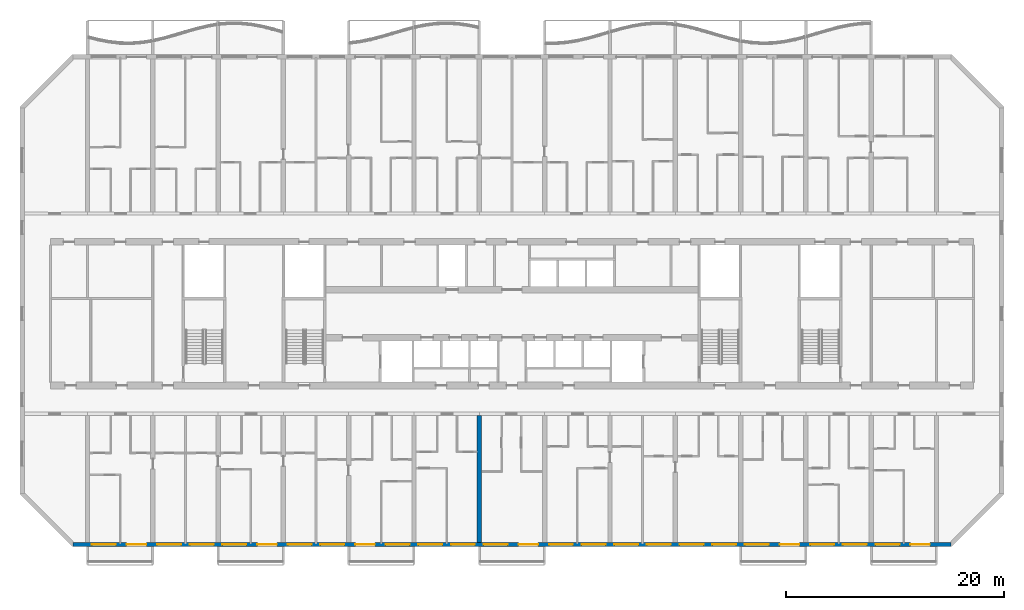
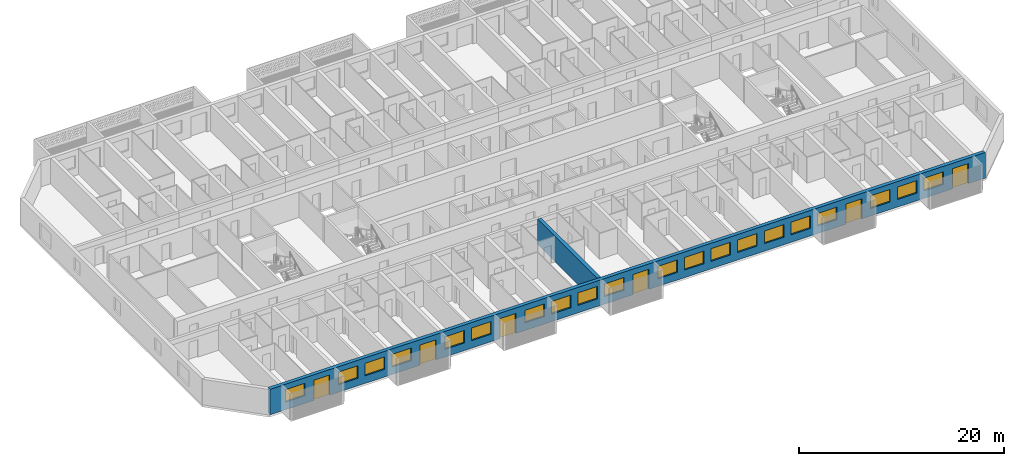
# One storey, part 4 of 39: 20 windows, 6 doors, 2 walls, 26 openings.
"""IFC4 building model written with IfcOpenShell, lengths in metres."""

from ifc_helpers import new_model, si_unit, direction, frame, frame_2d, origin, place, context, subcontext, project, spatial, rectangle, extrude, material, layer, layer_set, type_object, element, fill, save


model = new_model("IFC4")

# Units and contexts
model_context = context("Model", 3, precision=1e-05, world=origin(), true_north=direction((0.0, 1.0)))
body_context = subcontext(model_context, "Body", "Model", "MODEL_VIEW")
ifc_project = project(units=[si_unit("LENGTHUNIT", "METRE"), si_unit("AREAUNIT", "SQUARE_METRE"), si_unit("VOLUMEUNIT", "CUBIC_METRE"), si_unit("PLANEANGLEUNIT", "RADIAN"), si_unit("MASSUNIT", "GRAM", prefix="KILO")], contexts=[model_context])

# Site, building, storey
site_placement = place(None, origin())
site = spatial("IfcSite", under=ifc_project, at=site_placement, CompositionType="ELEMENT")
building_placement = place(site_placement, origin())
building = spatial("IfcBuilding", under=site, at=building_placement, Name="Poui Terraces", CompositionType="ELEMENT")
storey_placement = place(building_placement, frame((0.0, 0.0, 56.39990234375)))
storey = spatial("IfcBuildingStorey", under=building, at=storey_placement, Name="L15", CompositionType="ELEMENT", Elevation=56.39990234375)

# Wall
ifc_material_1 = material(Name="Concrete 80 MPa", Category="concrete")
ifc_layer_1 = layer(ifc_material_1, 0.39990234375)
ifc_layer_set_1 = layer_set([ifc_layer_1], Name="Concrete 80 MPa")
wall_type_1 = type_object("IfcWallType", Name="CROSS WALL 400 80MPa", PredefinedType="SHEAR", material=ifc_layer_set_1)
wall_1_placement = place(storey_placement, frame((48.0, 0.199951171875, 0.0), z_axis=(0.0, 0.0, 1.0), x_axis=(0.0, 1.0, 0.0)))
element("IfcWall", 1, at=wall_1_placement, inside=storey, type_object=wall_type_1, Name="CROSS WALL LINE 9 SOUTH", PredefinedType="SHEAR", context=body_context, shape_type="SweptSolid", body=[
    extrude(rectangle(XDim=11.650146484375, YDim=0.39990234375, at=frame_2d((5.8251953125, 0.0))), origin(), (0.0, 0.0, 1.0), 3.050048828125),
])

# Wall, openings, doors, windows
ifc_material_2 = material(Name="Precast concrete 40 MPa", Category="concrete")
ifc_layer_2 = layer(ifc_material_2, 0.39990234375)
ifc_layer_set_2 = layer_set([ifc_layer_2], Name="Precast concrete 40 MPa")
wall_type_2 = type_object("IfcWallType", Name="EXTERNAL WALL 400", PredefinedType="STANDARD", material=ifc_layer_set_2)
wall_2_placement = place(storey_placement, frame((10.682861328125, 0.0, 0.0), z_axis=(0.0, 0.0, 1.0), x_axis=(1.0, 0.0, 0.0)))
wall_2 = element("IfcWall", 2, at=wall_2_placement, inside=storey, type_object=wall_type_2, Name="EXTERNAL WALL S", PredefinedType="STANDARD", context=body_context, shape_type="SweptSolid", body=[
    extrude(rectangle(XDim=80.63427734375, YDim=0.39990234375, at=frame_2d((40.317138671875, 0.0))), origin(), (0.0, 0.0, 1.0), 3.050048828125),
])
opening_1_placement = place(wall_2_placement, frame((1.71728515625, 0.0, 0.89990234375)))
opening_1 = element("IfcOpeningElement", 3, at=opening_1_placement, cuts=wall_2, Name="Opening W1", PredefinedType="OPENING", context=body_context, shape_type="SweptSolid", body=[
    extrude(rectangle(XDim=2.199951171875, YDim=1.5, at=frame_2d((1.10009765625, 0.75))), frame((0.0, 0.2099609375, 0.0), z_axis=(0.0, -1.0, 0.0), x_axis=(1.0, 0.0, 0.0)), (0.0, 0.0, 1.0), 0.419921875),
])
opening_2_placement = place(wall_2_placement, frame((4.917236328125, 0.0, 0.0)))
opening_2 = element("IfcOpeningElement", 4, at=opening_2_placement, cuts=wall_2, Name="Opening BD1", PredefinedType="OPENING", context=body_context, shape_type="SweptSolid", body=[
    extrude(rectangle(XDim=1.800048828125, YDim=2.39990234375, at=frame_2d((0.89990234375, 1.199951171875))), frame((0.0, 0.2099609375, 0.0), z_axis=(0.0, -1.0, 0.0), x_axis=(1.0, 0.0, 0.0)), (0.0, 0.0, 1.0), 0.419921875),
])
opening_3_placement = place(wall_2_placement, frame((7.71728515625, 0.0, 0.89990234375)))
opening_3 = element("IfcOpeningElement", 5, at=opening_3_placement, cuts=wall_2, Name="Opening W1", PredefinedType="OPENING", context=body_context, shape_type="SweptSolid", body=[
    extrude(rectangle(XDim=2.199951171875, YDim=1.5, at=frame_2d((1.10009765625, 0.75))), frame((0.0, 0.2099609375, 0.0), z_axis=(0.0, -1.0, 0.0), x_axis=(1.0, 0.0, 0.0)), (0.0, 0.0, 1.0), 0.419921875),
])
opening_4_placement = place(wall_2_placement, frame((10.71728515625, 0.0, 0.89990234375)))
opening_4 = element("IfcOpeningElement", 6, at=opening_4_placement, cuts=wall_2, Name="Opening W1", PredefinedType="OPENING", context=body_context, shape_type="SweptSolid", body=[
    extrude(rectangle(XDim=2.199951171875, YDim=1.5, at=frame_2d((1.10009765625, 0.75))), frame((0.0, 0.2099609375, 0.0), z_axis=(0.0, -1.0, 0.0), x_axis=(1.0, 0.0, 0.0)), (0.0, 0.0, 1.0), 0.419921875),
])
opening_5_placement = place(wall_2_placement, frame((13.71728515625, 0.0, 0.89990234375)))
opening_5 = element("IfcOpeningElement", 7, at=opening_5_placement, cuts=wall_2, Name="Opening W1", PredefinedType="OPENING", context=body_context, shape_type="SweptSolid", body=[
    extrude(rectangle(XDim=2.199951171875, YDim=1.5, at=frame_2d((1.10009765625, 0.75))), frame((0.0, 0.2099609375, 0.0), z_axis=(0.0, -1.0, 0.0), x_axis=(1.0, 0.0, 0.0)), (0.0, 0.0, 1.0), 0.419921875),
])
opening_6_placement = place(wall_2_placement, frame((16.917236328125, 0.0, 0.0)))
opening_6 = element("IfcOpeningElement", 8, at=opening_6_placement, cuts=wall_2, Name="Opening BD1", PredefinedType="OPENING", context=body_context, shape_type="SweptSolid", body=[
    extrude(rectangle(XDim=1.800048828125, YDim=2.39990234375, at=frame_2d((0.89990234375, 1.199951171875))), frame((0.0, 0.2099609375, 0.0), z_axis=(0.0, -1.0, 0.0), x_axis=(1.0, 0.0, 0.0)), (0.0, 0.0, 1.0), 0.419921875),
])
opening_7_placement = place(wall_2_placement, frame((19.71728515625, 0.0, 0.89990234375)))
opening_7 = element("IfcOpeningElement", 9, at=opening_7_placement, cuts=wall_2, Name="Opening W1", PredefinedType="OPENING", context=body_context, shape_type="SweptSolid", body=[
    extrude(rectangle(XDim=2.199951171875, YDim=1.5, at=frame_2d((1.10009765625, 0.75))), frame((0.0, 0.2099609375, 0.0), z_axis=(0.0, -1.0, 0.0), x_axis=(1.0, 0.0, 0.0)), (0.0, 0.0, 1.0), 0.419921875),
])
opening_8_placement = place(wall_2_placement, frame((22.71728515625, 0.0, 0.89990234375)))
opening_8 = element("IfcOpeningElement", 10, at=opening_8_placement, cuts=wall_2, Name="Opening W1", PredefinedType="OPENING", context=body_context, shape_type="SweptSolid", body=[
    extrude(rectangle(XDim=2.199951171875, YDim=1.5, at=frame_2d((1.10009765625, 0.75))), frame((0.0, 0.2099609375, 0.0), z_axis=(0.0, -1.0, 0.0), x_axis=(1.0, 0.0, 0.0)), (0.0, 0.0, 1.0), 0.419921875),
])
opening_9_placement = place(wall_2_placement, frame((25.917236328125, 0.0, 0.0)))
opening_9 = element("IfcOpeningElement", 11, at=opening_9_placement, cuts=wall_2, Name="Opening BD1", PredefinedType="OPENING", context=body_context, shape_type="SweptSolid", body=[
    extrude(rectangle(XDim=1.800048828125, YDim=2.39990234375, at=frame_2d((0.89990234375, 1.199951171875))), frame((0.0, 0.2099609375, 0.0), z_axis=(0.0, -1.0, 0.0), x_axis=(1.0, 0.0, 0.0)), (0.0, 0.0, 1.0), 0.419921875),
])
opening_10_placement = place(wall_2_placement, frame((28.71728515625, 0.0, 0.89990234375)))
opening_10 = element("IfcOpeningElement", 12, at=opening_10_placement, cuts=wall_2, Name="Opening W1", PredefinedType="OPENING", context=body_context, shape_type="SweptSolid", body=[
    extrude(rectangle(XDim=2.199951171875, YDim=1.5, at=frame_2d((1.10009765625, 0.75))), frame((0.0, 0.2099609375, 0.0), z_axis=(0.0, -1.0, 0.0), x_axis=(1.0, 0.0, 0.0)), (0.0, 0.0, 1.0), 0.419921875),
])
opening_11_placement = place(wall_2_placement, frame((31.71728515625, 0.0, 0.89990234375)))
opening_11 = element("IfcOpeningElement", 13, at=opening_11_placement, cuts=wall_2, Name="Opening W1", PredefinedType="OPENING", context=body_context, shape_type="SweptSolid", body=[
    extrude(rectangle(XDim=2.199951171875, YDim=1.5, at=frame_2d((1.10009765625, 0.75))), frame((0.0, 0.2099609375, 0.0), z_axis=(0.0, -1.0, 0.0), x_axis=(1.0, 0.0, 0.0)), (0.0, 0.0, 1.0), 0.419921875),
])
opening_12_placement = place(wall_2_placement, frame((34.71728515625, 0.0, 0.89990234375)))
opening_12 = element("IfcOpeningElement", 14, at=opening_12_placement, cuts=wall_2, Name="Opening W1", PredefinedType="OPENING", context=body_context, shape_type="SweptSolid", body=[
    extrude(rectangle(XDim=2.199951171875, YDim=1.5, at=frame_2d((1.10009765625, 0.75))), frame((0.0, 0.2099609375, 0.0), z_axis=(0.0, -1.0, 0.0), x_axis=(1.0, 0.0, 0.0)), (0.0, 0.0, 1.0), 0.419921875),
])
opening_13_placement = place(wall_2_placement, frame((37.71728515625, 0.0, 0.89990234375)))
opening_13 = element("IfcOpeningElement", 15, at=opening_13_placement, cuts=wall_2, Name="Opening W1", PredefinedType="OPENING", context=body_context, shape_type="SweptSolid", body=[
    extrude(rectangle(XDim=2.199951171875, YDim=1.5, at=frame_2d((1.10009765625, 0.75))), frame((0.0, 0.2099609375, 0.0), z_axis=(0.0, -1.0, 0.0), x_axis=(1.0, 0.0, 0.0)), (0.0, 0.0, 1.0), 0.419921875),
])
opening_14_placement = place(wall_2_placement, frame((40.917236328125, 0.0, 0.0)))
opening_14 = element("IfcOpeningElement", 16, at=opening_14_placement, cuts=wall_2, Name="Opening BD1", PredefinedType="OPENING", context=body_context, shape_type="SweptSolid", body=[
    extrude(rectangle(XDim=1.800048828125, YDim=2.39990234375, at=frame_2d((0.89990234375, 1.199951171875))), frame((0.0, 0.2099609375, 0.0), z_axis=(0.0, -1.0, 0.0), x_axis=(1.0, 0.0, 0.0)), (0.0, 0.0, 1.0), 0.419921875),
])
opening_15_placement = place(wall_2_placement, frame((43.71728515625, 0.0, 0.89990234375)))
opening_15 = element("IfcOpeningElement", 17, at=opening_15_placement, cuts=wall_2, Name="Opening W1", PredefinedType="OPENING", context=body_context, shape_type="SweptSolid", body=[
    extrude(rectangle(XDim=2.199951171875, YDim=1.5, at=frame_2d((1.10009765625, 0.75))), frame((0.0, 0.2099609375, 0.0), z_axis=(0.0, -1.0, 0.0), x_axis=(1.0, 0.0, 0.0)), (0.0, 0.0, 1.0), 0.419921875),
])
opening_16_placement = place(wall_2_placement, frame((46.71728515625, 0.0, 0.89990234375)))
opening_16 = element("IfcOpeningElement", 18, at=opening_16_placement, cuts=wall_2, Name="Opening W1", PredefinedType="OPENING", context=body_context, shape_type="SweptSolid", body=[
    extrude(rectangle(XDim=2.199951171875, YDim=1.5, at=frame_2d((1.10009765625, 0.75))), frame((0.0, 0.2099609375, 0.0), z_axis=(0.0, -1.0, 0.0), x_axis=(1.0, 0.0, 0.0)), (0.0, 0.0, 1.0), 0.419921875),
])
opening_17_placement = place(wall_2_placement, frame((49.71728515625, 0.0, 0.89990234375)))
opening_17 = element("IfcOpeningElement", 19, at=opening_17_placement, cuts=wall_2, Name="Opening W1", PredefinedType="OPENING", context=body_context, shape_type="SweptSolid", body=[
    extrude(rectangle(XDim=2.199951171875, YDim=1.5, at=frame_2d((1.10009765625, 0.75))), frame((0.0, 0.2099609375, 0.0), z_axis=(0.0, -1.0, 0.0), x_axis=(1.0, 0.0, 0.0)), (0.0, 0.0, 1.0), 0.419921875),
])
opening_18_placement = place(wall_2_placement, frame((52.71728515625, 0.0, 0.89990234375)))
opening_18 = element("IfcOpeningElement", 20, at=opening_18_placement, cuts=wall_2, Name="Opening W1", PredefinedType="OPENING", context=body_context, shape_type="SweptSolid", body=[
    extrude(rectangle(XDim=2.199951171875, YDim=1.5, at=frame_2d((1.10009765625, 0.75))), frame((0.0, 0.2099609375, 0.0), z_axis=(0.0, -1.0, 0.0), x_axis=(1.0, 0.0, 0.0)), (0.0, 0.0, 1.0), 0.419921875),
])
opening_19_placement = place(wall_2_placement, frame((55.71728515625, 0.0, 0.89990234375)))
opening_19 = element("IfcOpeningElement", 21, at=opening_19_placement, cuts=wall_2, Name="Opening W1", PredefinedType="OPENING", context=body_context, shape_type="SweptSolid", body=[
    extrude(rectangle(XDim=2.199951171875, YDim=1.5, at=frame_2d((1.10009765625, 0.75))), frame((0.0, 0.2099609375, 0.0), z_axis=(0.0, -1.0, 0.0), x_axis=(1.0, 0.0, 0.0)), (0.0, 0.0, 1.0), 0.419921875),
])
opening_20_placement = place(wall_2_placement, frame((58.71728515625, 0.0, 0.89990234375)))
opening_20 = element("IfcOpeningElement", 22, at=opening_20_placement, cuts=wall_2, Name="Opening W1", PredefinedType="OPENING", context=body_context, shape_type="SweptSolid", body=[
    extrude(rectangle(XDim=2.199951171875, YDim=1.5, at=frame_2d((1.10009765625, 0.75))), frame((0.0, 0.2099609375, 0.0), z_axis=(0.0, -1.0, 0.0), x_axis=(1.0, 0.0, 0.0)), (0.0, 0.0, 1.0), 0.419921875),
])
opening_21_placement = place(wall_2_placement, frame((61.71728515625, 0.0, 0.89990234375)))
opening_21 = element("IfcOpeningElement", 23, at=opening_21_placement, cuts=wall_2, Name="Opening W1", PredefinedType="OPENING", context=body_context, shape_type="SweptSolid", body=[
    extrude(rectangle(XDim=2.199951171875, YDim=1.5, at=frame_2d((1.10009765625, 0.75))), frame((0.0, 0.2099609375, 0.0), z_axis=(0.0, -1.0, 0.0), x_axis=(1.0, 0.0, 0.0)), (0.0, 0.0, 1.0), 0.419921875),
])
opening_22_placement = place(wall_2_placement, frame((64.917236328125, 0.0, 0.0)))
opening_22 = element("IfcOpeningElement", 24, at=opening_22_placement, cuts=wall_2, Name="Opening BD1", PredefinedType="OPENING", context=body_context, shape_type="SweptSolid", body=[
    extrude(rectangle(XDim=1.800048828125, YDim=2.39990234375, at=frame_2d((0.89990234375, 1.199951171875))), frame((0.0, 0.2099609375, 0.0), z_axis=(0.0, -1.0, 0.0), x_axis=(1.0, 0.0, 0.0)), (0.0, 0.0, 1.0), 0.419921875),
])
opening_23_placement = place(wall_2_placement, frame((67.71728515625, 0.0, 0.89990234375)))
opening_23 = element("IfcOpeningElement", 25, at=opening_23_placement, cuts=wall_2, Name="Opening W1", PredefinedType="OPENING", context=body_context, shape_type="SweptSolid", body=[
    extrude(rectangle(XDim=2.199951171875, YDim=1.5, at=frame_2d((1.10009765625, 0.75))), frame((0.0, 0.2099609375, 0.0), z_axis=(0.0, -1.0, 0.0), x_axis=(1.0, 0.0, 0.0)), (0.0, 0.0, 1.0), 0.419921875),
])
opening_24_placement = place(wall_2_placement, frame((70.71728515625, 0.0, 0.89990234375)))
opening_24 = element("IfcOpeningElement", 26, at=opening_24_placement, cuts=wall_2, Name="Opening W1", PredefinedType="OPENING", context=body_context, shape_type="SweptSolid", body=[
    extrude(rectangle(XDim=2.199951171875, YDim=1.5, at=frame_2d((1.10009765625, 0.75))), frame((0.0, 0.2099609375, 0.0), z_axis=(0.0, -1.0, 0.0), x_axis=(1.0, 0.0, 0.0)), (0.0, 0.0, 1.0), 0.419921875),
])
opening_25_placement = place(wall_2_placement, frame((73.71728515625, 0.0, 0.89990234375)))
opening_25 = element("IfcOpeningElement", 27, at=opening_25_placement, cuts=wall_2, Name="Opening W1", PredefinedType="OPENING", context=body_context, shape_type="SweptSolid", body=[
    extrude(rectangle(XDim=2.199951171875, YDim=1.5, at=frame_2d((1.10009765625, 0.75))), frame((0.0, 0.2099609375, 0.0), z_axis=(0.0, -1.0, 0.0), x_axis=(1.0, 0.0, 0.0)), (0.0, 0.0, 1.0), 0.419921875),
])
opening_26_placement = place(wall_2_placement, frame((76.917236328125, 0.0, 0.0)))
opening_26 = element("IfcOpeningElement", 28, at=opening_26_placement, cuts=wall_2, Name="Opening BD1", PredefinedType="OPENING", context=body_context, shape_type="SweptSolid", body=[
    extrude(rectangle(XDim=1.800048828125, YDim=2.39990234375, at=frame_2d((0.89990234375, 1.199951171875))), frame((0.0, 0.2099609375, 0.0), z_axis=(0.0, -1.0, 0.0), x_axis=(1.0, 0.0, 0.0)), (0.0, 0.0, 1.0), 0.419921875),
])
ifc_material_3 = material(Name="Clear glass in aluminium frame", Category="aluminium")
door_type = type_object("IfcDoorType", Name="BALCONY DOOR 1800X2400", OperationType="DOUBLE_DOOR_SLIDING", PredefinedType="DOOR", material=ifc_material_3)
door_1_placement = place(opening_2_placement, origin())
door_1 = element("IfcDoor", 29, at=door_1_placement, inside=storey, type_object=door_type, Name="BD1 BALCONY DOOR", OperationType="DOUBLE_DOOR_SLIDING", OverallHeight=2.39990234375, OverallWidth=1.800048828125, PredefinedType="DOOR", context=body_context, shape_type="SweptSolid", body=[
    extrude(rectangle(XDim=1.800048828125, YDim=2.39990234375, at=frame_2d((0.89990234375, 1.199951171875))), frame((0.0, 0.02490234375, 0.0), z_axis=(0.0, -1.0, 0.0), x_axis=(1.0, 0.0, 0.0)), (0.0, 0.0, 1.0), 0.050048828125),
])
fill(opening_2, door_1)
door_2_placement = place(opening_6_placement, origin())
door_2 = element("IfcDoor", 30, at=door_2_placement, inside=storey, type_object=door_type, Name="BD1 BALCONY DOOR", OperationType="DOUBLE_DOOR_SLIDING", OverallHeight=2.39990234375, OverallWidth=1.800048828125, PredefinedType="DOOR", context=body_context, shape_type="SweptSolid", body=[
    extrude(rectangle(XDim=1.800048828125, YDim=2.39990234375, at=frame_2d((0.89990234375, 1.199951171875))), frame((0.0, 0.02490234375, 0.0), z_axis=(0.0, -1.0, 0.0), x_axis=(1.0, 0.0, 0.0)), (0.0, 0.0, 1.0), 0.050048828125),
])
fill(opening_6, door_2)
door_3_placement = place(opening_9_placement, origin())
door_3 = element("IfcDoor", 31, at=door_3_placement, inside=storey, type_object=door_type, Name="BD1 BALCONY DOOR", OperationType="DOUBLE_DOOR_SLIDING", OverallHeight=2.39990234375, OverallWidth=1.800048828125, PredefinedType="DOOR", context=body_context, shape_type="SweptSolid", body=[
    extrude(rectangle(XDim=1.800048828125, YDim=2.39990234375, at=frame_2d((0.89990234375, 1.199951171875))), frame((0.0, 0.02490234375, 0.0), z_axis=(0.0, -1.0, 0.0), x_axis=(1.0, 0.0, 0.0)), (0.0, 0.0, 1.0), 0.050048828125),
])
fill(opening_9, door_3)
door_4_placement = place(opening_14_placement, origin())
door_4 = element("IfcDoor", 32, at=door_4_placement, inside=storey, type_object=door_type, Name="BD1 BALCONY DOOR", OperationType="DOUBLE_DOOR_SLIDING", OverallHeight=2.39990234375, OverallWidth=1.800048828125, PredefinedType="DOOR", context=body_context, shape_type="SweptSolid", body=[
    extrude(rectangle(XDim=1.800048828125, YDim=2.39990234375, at=frame_2d((0.89990234375, 1.199951171875))), frame((0.0, 0.02490234375, 0.0), z_axis=(0.0, -1.0, 0.0), x_axis=(1.0, 0.0, 0.0)), (0.0, 0.0, 1.0), 0.050048828125),
])
fill(opening_14, door_4)
door_5_placement = place(opening_22_placement, origin())
door_5 = element("IfcDoor", 33, at=door_5_placement, inside=storey, type_object=door_type, Name="BD1 BALCONY DOOR", OperationType="DOUBLE_DOOR_SLIDING", OverallHeight=2.39990234375, OverallWidth=1.800048828125, PredefinedType="DOOR", context=body_context, shape_type="SweptSolid", body=[
    extrude(rectangle(XDim=1.800048828125, YDim=2.39990234375, at=frame_2d((0.89990234375, 1.199951171875))), frame((0.0, 0.02490234375, 0.0), z_axis=(0.0, -1.0, 0.0), x_axis=(1.0, 0.0, 0.0)), (0.0, 0.0, 1.0), 0.050048828125),
])
fill(opening_22, door_5)
door_6_placement = place(opening_26_placement, origin())
door_6 = element("IfcDoor", 34, at=door_6_placement, inside=storey, type_object=door_type, Name="BD1 BALCONY DOOR", OperationType="DOUBLE_DOOR_SLIDING", OverallHeight=2.39990234375, OverallWidth=1.800048828125, PredefinedType="DOOR", context=body_context, shape_type="SweptSolid", body=[
    extrude(rectangle(XDim=1.800048828125, YDim=2.39990234375, at=frame_2d((0.89990234375, 1.199951171875))), frame((0.0, 0.02490234375, 0.0), z_axis=(0.0, -1.0, 0.0), x_axis=(1.0, 0.0, 0.0)), (0.0, 0.0, 1.0), 0.050048828125),
])
fill(opening_26, door_6)
window_type = type_object("IfcWindowType", Name="WINDOW 2200X1500", PartitioningType="DOUBLE_PANEL_HORIZONTAL", PredefinedType="WINDOW", material=ifc_material_3)
window_1_placement = place(opening_1_placement, origin())
window_1 = element("IfcWindow", 35, at=window_1_placement, inside=storey, type_object=window_type, Name="W1 WINDOW", OverallHeight=1.5, OverallWidth=2.199951171875, PartitioningType="DOUBLE_PANEL_HORIZONTAL", PredefinedType="WINDOW", context=body_context, shape_type="SweptSolid", body=[
    extrude(rectangle(XDim=2.199951171875, YDim=1.5, at=frame_2d((1.10009765625, 0.75))), frame((0.0, 0.030029296875, 0.0), z_axis=(0.0, -1.0, 0.0), x_axis=(1.0, 0.0, 0.0)), (0.0, 0.0, 1.0), 0.06005859375),
])
fill(opening_1, window_1)
window_2_placement = place(opening_3_placement, origin())
window_2 = element("IfcWindow", 36, at=window_2_placement, inside=storey, type_object=window_type, Name="W1 WINDOW", OverallHeight=1.5, OverallWidth=2.199951171875, PartitioningType="DOUBLE_PANEL_HORIZONTAL", PredefinedType="WINDOW", context=body_context, shape_type="SweptSolid", body=[
    extrude(rectangle(XDim=2.199951171875, YDim=1.5, at=frame_2d((1.10009765625, 0.75))), frame((0.0, 0.030029296875, 0.0), z_axis=(0.0, -1.0, 0.0), x_axis=(1.0, 0.0, 0.0)), (0.0, 0.0, 1.0), 0.06005859375),
])
fill(opening_3, window_2)
window_3_placement = place(opening_4_placement, origin())
window_3 = element("IfcWindow", 37, at=window_3_placement, inside=storey, type_object=window_type, Name="W1 WINDOW", OverallHeight=1.5, OverallWidth=2.199951171875, PartitioningType="DOUBLE_PANEL_HORIZONTAL", PredefinedType="WINDOW", context=body_context, shape_type="SweptSolid", body=[
    extrude(rectangle(XDim=2.199951171875, YDim=1.5, at=frame_2d((1.10009765625, 0.75))), frame((0.0, 0.030029296875, 0.0), z_axis=(0.0, -1.0, 0.0), x_axis=(1.0, 0.0, 0.0)), (0.0, 0.0, 1.0), 0.06005859375),
])
fill(opening_4, window_3)
window_4_placement = place(opening_5_placement, origin())
window_4 = element("IfcWindow", 38, at=window_4_placement, inside=storey, type_object=window_type, Name="W1 WINDOW", OverallHeight=1.5, OverallWidth=2.199951171875, PartitioningType="DOUBLE_PANEL_HORIZONTAL", PredefinedType="WINDOW", context=body_context, shape_type="SweptSolid", body=[
    extrude(rectangle(XDim=2.199951171875, YDim=1.5, at=frame_2d((1.10009765625, 0.75))), frame((0.0, 0.030029296875, 0.0), z_axis=(0.0, -1.0, 0.0), x_axis=(1.0, 0.0, 0.0)), (0.0, 0.0, 1.0), 0.06005859375),
])
fill(opening_5, window_4)
window_5_placement = place(opening_7_placement, origin())
window_5 = element("IfcWindow", 39, at=window_5_placement, inside=storey, type_object=window_type, Name="W1 WINDOW", OverallHeight=1.5, OverallWidth=2.199951171875, PartitioningType="DOUBLE_PANEL_HORIZONTAL", PredefinedType="WINDOW", context=body_context, shape_type="SweptSolid", body=[
    extrude(rectangle(XDim=2.199951171875, YDim=1.5, at=frame_2d((1.10009765625, 0.75))), frame((0.0, 0.030029296875, 0.0), z_axis=(0.0, -1.0, 0.0), x_axis=(1.0, 0.0, 0.0)), (0.0, 0.0, 1.0), 0.06005859375),
])
fill(opening_7, window_5)
window_6_placement = place(opening_8_placement, origin())
window_6 = element("IfcWindow", 40, at=window_6_placement, inside=storey, type_object=window_type, Name="W1 WINDOW", OverallHeight=1.5, OverallWidth=2.199951171875, PartitioningType="DOUBLE_PANEL_HORIZONTAL", PredefinedType="WINDOW", context=body_context, shape_type="SweptSolid", body=[
    extrude(rectangle(XDim=2.199951171875, YDim=1.5, at=frame_2d((1.10009765625, 0.75))), frame((0.0, 0.030029296875, 0.0), z_axis=(0.0, -1.0, 0.0), x_axis=(1.0, 0.0, 0.0)), (0.0, 0.0, 1.0), 0.06005859375),
])
fill(opening_8, window_6)
window_7_placement = place(opening_10_placement, origin())
window_7 = element("IfcWindow", 41, at=window_7_placement, inside=storey, type_object=window_type, Name="W1 WINDOW", OverallHeight=1.5, OverallWidth=2.199951171875, PartitioningType="DOUBLE_PANEL_HORIZONTAL", PredefinedType="WINDOW", context=body_context, shape_type="SweptSolid", body=[
    extrude(rectangle(XDim=2.199951171875, YDim=1.5, at=frame_2d((1.10009765625, 0.75))), frame((0.0, 0.030029296875, 0.0), z_axis=(0.0, -1.0, 0.0), x_axis=(1.0, 0.0, 0.0)), (0.0, 0.0, 1.0), 0.06005859375),
])
fill(opening_10, window_7)
window_8_placement = place(opening_11_placement, origin())
window_8 = element("IfcWindow", 42, at=window_8_placement, inside=storey, type_object=window_type, Name="W1 WINDOW", OverallHeight=1.5, OverallWidth=2.199951171875, PartitioningType="DOUBLE_PANEL_HORIZONTAL", PredefinedType="WINDOW", context=body_context, shape_type="SweptSolid", body=[
    extrude(rectangle(XDim=2.199951171875, YDim=1.5, at=frame_2d((1.10009765625, 0.75))), frame((0.0, 0.030029296875, 0.0), z_axis=(0.0, -1.0, 0.0), x_axis=(1.0, 0.0, 0.0)), (0.0, 0.0, 1.0), 0.06005859375),
])
fill(opening_11, window_8)
window_9_placement = place(opening_12_placement, origin())
window_9 = element("IfcWindow", 43, at=window_9_placement, inside=storey, type_object=window_type, Name="W1 WINDOW", OverallHeight=1.5, OverallWidth=2.199951171875, PartitioningType="DOUBLE_PANEL_HORIZONTAL", PredefinedType="WINDOW", context=body_context, shape_type="SweptSolid", body=[
    extrude(rectangle(XDim=2.199951171875, YDim=1.5, at=frame_2d((1.10009765625, 0.75))), frame((0.0, 0.030029296875, 0.0), z_axis=(0.0, -1.0, 0.0), x_axis=(1.0, 0.0, 0.0)), (0.0, 0.0, 1.0), 0.06005859375),
])
fill(opening_12, window_9)
window_10_placement = place(opening_13_placement, origin())
window_10 = element("IfcWindow", 44, at=window_10_placement, inside=storey, type_object=window_type, Name="W1 WINDOW", OverallHeight=1.5, OverallWidth=2.199951171875, PartitioningType="DOUBLE_PANEL_HORIZONTAL", PredefinedType="WINDOW", context=body_context, shape_type="SweptSolid", body=[
    extrude(rectangle(XDim=2.199951171875, YDim=1.5, at=frame_2d((1.10009765625, 0.75))), frame((0.0, 0.030029296875, 0.0), z_axis=(0.0, -1.0, 0.0), x_axis=(1.0, 0.0, 0.0)), (0.0, 0.0, 1.0), 0.06005859375),
])
fill(opening_13, window_10)
window_11_placement = place(opening_15_placement, origin())
window_11 = element("IfcWindow", 45, at=window_11_placement, inside=storey, type_object=window_type, Name="W1 WINDOW", OverallHeight=1.5, OverallWidth=2.199951171875, PartitioningType="DOUBLE_PANEL_HORIZONTAL", PredefinedType="WINDOW", context=body_context, shape_type="SweptSolid", body=[
    extrude(rectangle(XDim=2.199951171875, YDim=1.5, at=frame_2d((1.10009765625, 0.75))), frame((0.0, 0.030029296875, 0.0), z_axis=(0.0, -1.0, 0.0), x_axis=(1.0, 0.0, 0.0)), (0.0, 0.0, 1.0), 0.06005859375),
])
fill(opening_15, window_11)
window_12_placement = place(opening_16_placement, origin())
window_12 = element("IfcWindow", 46, at=window_12_placement, inside=storey, type_object=window_type, Name="W1 WINDOW", OverallHeight=1.5, OverallWidth=2.199951171875, PartitioningType="DOUBLE_PANEL_HORIZONTAL", PredefinedType="WINDOW", context=body_context, shape_type="SweptSolid", body=[
    extrude(rectangle(XDim=2.199951171875, YDim=1.5, at=frame_2d((1.10009765625, 0.75))), frame((0.0, 0.030029296875, 0.0), z_axis=(0.0, -1.0, 0.0), x_axis=(1.0, 0.0, 0.0)), (0.0, 0.0, 1.0), 0.06005859375),
])
fill(opening_16, window_12)
window_13_placement = place(opening_17_placement, origin())
window_13 = element("IfcWindow", 47, at=window_13_placement, inside=storey, type_object=window_type, Name="W1 WINDOW", OverallHeight=1.5, OverallWidth=2.199951171875, PartitioningType="DOUBLE_PANEL_HORIZONTAL", PredefinedType="WINDOW", context=body_context, shape_type="SweptSolid", body=[
    extrude(rectangle(XDim=2.199951171875, YDim=1.5, at=frame_2d((1.10009765625, 0.75))), frame((0.0, 0.030029296875, 0.0), z_axis=(0.0, -1.0, 0.0), x_axis=(1.0, 0.0, 0.0)), (0.0, 0.0, 1.0), 0.06005859375),
])
fill(opening_17, window_13)
window_14_placement = place(opening_18_placement, origin())
window_14 = element("IfcWindow", 48, at=window_14_placement, inside=storey, type_object=window_type, Name="W1 WINDOW", OverallHeight=1.5, OverallWidth=2.199951171875, PartitioningType="DOUBLE_PANEL_HORIZONTAL", PredefinedType="WINDOW", context=body_context, shape_type="SweptSolid", body=[
    extrude(rectangle(XDim=2.199951171875, YDim=1.5, at=frame_2d((1.10009765625, 0.75))), frame((0.0, 0.030029296875, 0.0), z_axis=(0.0, -1.0, 0.0), x_axis=(1.0, 0.0, 0.0)), (0.0, 0.0, 1.0), 0.06005859375),
])
fill(opening_18, window_14)
window_15_placement = place(opening_19_placement, origin())
window_15 = element("IfcWindow", 49, at=window_15_placement, inside=storey, type_object=window_type, Name="W1 WINDOW", OverallHeight=1.5, OverallWidth=2.199951171875, PartitioningType="DOUBLE_PANEL_HORIZONTAL", PredefinedType="WINDOW", context=body_context, shape_type="SweptSolid", body=[
    extrude(rectangle(XDim=2.199951171875, YDim=1.5, at=frame_2d((1.10009765625, 0.75))), frame((0.0, 0.030029296875, 0.0), z_axis=(0.0, -1.0, 0.0), x_axis=(1.0, 0.0, 0.0)), (0.0, 0.0, 1.0), 0.06005859375),
])
fill(opening_19, window_15)
window_16_placement = place(opening_20_placement, origin())
window_16 = element("IfcWindow", 50, at=window_16_placement, inside=storey, type_object=window_type, Name="W1 WINDOW", OverallHeight=1.5, OverallWidth=2.199951171875, PartitioningType="DOUBLE_PANEL_HORIZONTAL", PredefinedType="WINDOW", context=body_context, shape_type="SweptSolid", body=[
    extrude(rectangle(XDim=2.199951171875, YDim=1.5, at=frame_2d((1.10009765625, 0.75))), frame((0.0, 0.030029296875, 0.0), z_axis=(0.0, -1.0, 0.0), x_axis=(1.0, 0.0, 0.0)), (0.0, 0.0, 1.0), 0.06005859375),
])
fill(opening_20, window_16)
window_17_placement = place(opening_21_placement, origin())
window_17 = element("IfcWindow", 51, at=window_17_placement, inside=storey, type_object=window_type, Name="W1 WINDOW", OverallHeight=1.5, OverallWidth=2.199951171875, PartitioningType="DOUBLE_PANEL_HORIZONTAL", PredefinedType="WINDOW", context=body_context, shape_type="SweptSolid", body=[
    extrude(rectangle(XDim=2.199951171875, YDim=1.5, at=frame_2d((1.10009765625, 0.75))), frame((0.0, 0.030029296875, 0.0), z_axis=(0.0, -1.0, 0.0), x_axis=(1.0, 0.0, 0.0)), (0.0, 0.0, 1.0), 0.06005859375),
])
fill(opening_21, window_17)
window_18_placement = place(opening_23_placement, origin())
window_18 = element("IfcWindow", 52, at=window_18_placement, inside=storey, type_object=window_type, Name="W1 WINDOW", OverallHeight=1.5, OverallWidth=2.199951171875, PartitioningType="DOUBLE_PANEL_HORIZONTAL", PredefinedType="WINDOW", context=body_context, shape_type="SweptSolid", body=[
    extrude(rectangle(XDim=2.199951171875, YDim=1.5, at=frame_2d((1.10009765625, 0.75))), frame((0.0, 0.030029296875, 0.0), z_axis=(0.0, -1.0, 0.0), x_axis=(1.0, 0.0, 0.0)), (0.0, 0.0, 1.0), 0.06005859375),
])
fill(opening_23, window_18)
window_19_placement = place(opening_24_placement, origin())
window_19 = element("IfcWindow", 53, at=window_19_placement, inside=storey, type_object=window_type, Name="W1 WINDOW", OverallHeight=1.5, OverallWidth=2.199951171875, PartitioningType="DOUBLE_PANEL_HORIZONTAL", PredefinedType="WINDOW", context=body_context, shape_type="SweptSolid", body=[
    extrude(rectangle(XDim=2.199951171875, YDim=1.5, at=frame_2d((1.10009765625, 0.75))), frame((0.0, 0.030029296875, 0.0), z_axis=(0.0, -1.0, 0.0), x_axis=(1.0, 0.0, 0.0)), (0.0, 0.0, 1.0), 0.06005859375),
])
fill(opening_24, window_19)
window_20_placement = place(opening_25_placement, origin())
window_20 = element("IfcWindow", 54, at=window_20_placement, inside=storey, type_object=window_type, Name="W1 WINDOW", OverallHeight=1.5, OverallWidth=2.199951171875, PartitioningType="DOUBLE_PANEL_HORIZONTAL", PredefinedType="WINDOW", context=body_context, shape_type="SweptSolid", body=[
    extrude(rectangle(XDim=2.199951171875, YDim=1.5, at=frame_2d((1.10009765625, 0.75))), frame((0.0, 0.030029296875, 0.0), z_axis=(0.0, -1.0, 0.0), x_axis=(1.0, 0.0, 0.0)), (0.0, 0.0, 1.0), 0.06005859375),
])
fill(opening_25, window_20)

save(model, "model.ifc")
